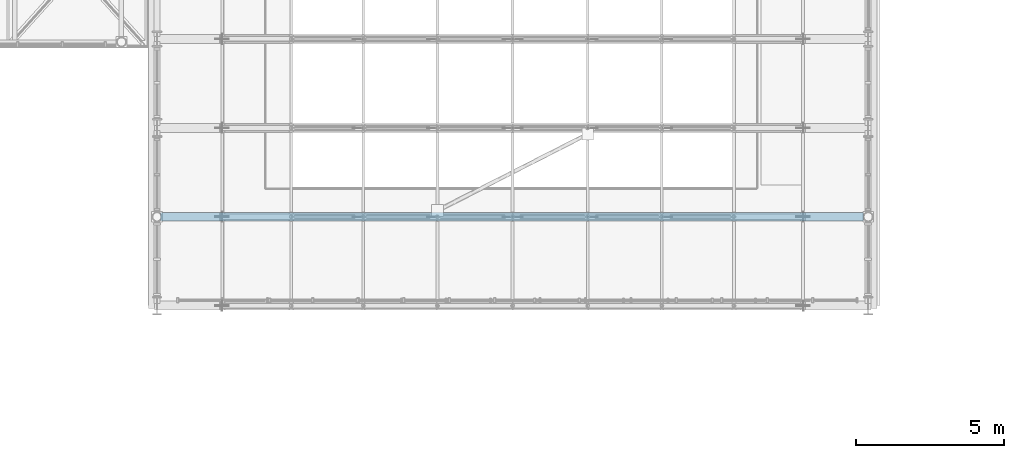
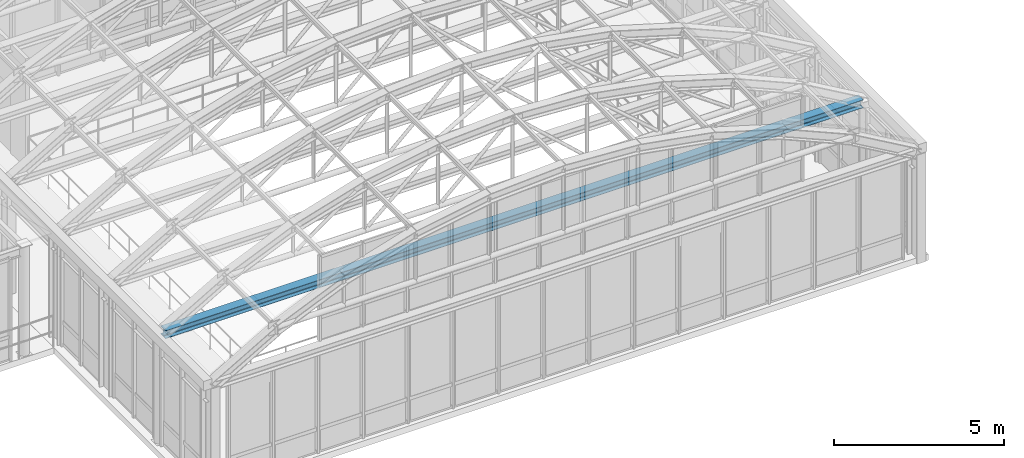
# One storey, part 56 of 148: 1 beam.
"""IFC4 building model written with IfcOpenShell, lengths in metres."""

import ifcopenshell
import ifcopenshell.guid

model = None  # the IFC model being written
_history = None  # IfcOwnerHistory: only IFC2X3 demands one
_inside = {}  # id of a spatial element -> (the spatial element, [elements in it])
_under = {}  # id of a project, library or spatial element -> (it, [spatial elements below it])
_declared = {}  # id of a project -> (the project, [libraries it declares])
_typed = {}  # id of a type object -> (the type object, [elements of that type])
_made_of = {}  # id of a material, layer set ... -> (it, [elements and type objects made of it])


def new_model(schema):
    """Start an empty IFC model of exactly this schema.

    Asked for "IFC4X3", IfcOpenShell would pick the latest addendum, in which some entities
    have other attributes; the version numbers below select the first issue.
    IFC2X3 requires an IfcOwnerHistory on every rooted entity: one is made here for all.
    """
    global model, _history
    if schema == "IFC4X3":
        model = ifcopenshell.file(schema_version=(4, 3, 0, 0))
    else:
        model = ifcopenshell.file(schema=schema)
    _inside.clear()
    _under.clear()
    _declared.clear()
    _typed.clear()
    _made_of.clear()
    _history = None
    if model.schema == "IFC2X3":
        org = make("IfcOrganization", Name="unknown")
        user = make(
            "IfcPersonAndOrganization",
            ThePerson=make("IfcPerson", FamilyName="unknown"),
            TheOrganization=org,
        )
        app = make(
            "IfcApplication",
            ApplicationDeveloper=org,
            Version="unknown",
            ApplicationFullName="unknown",
            ApplicationIdentifier="unknown",
        )
        _history = make(
            "IfcOwnerHistory",
            OwningUser=user,
            OwningApplication=app,
            ChangeAction="ADDED",
            CreationDate=0,
        )
    return model


def make(cls, **values):
    """One entity of the class cls with the attributes given. An attribute that is None is left unset."""
    return model.create_entity(
        cls, **{name: value for name, value in values.items() if value is not None}
    )


def rooted(cls, **values):
    """An entity with a GlobalId (a new one), such as an element, a storey or a relation."""
    return make(cls, GlobalId=ifcopenshell.guid.new(), OwnerHistory=_history, **values)


def si_unit(unit_type, name, prefix=None):
    """IfcSIUnit, for example si_unit("LENGTHUNIT", "METRE", prefix="MILLI")."""
    return make("IfcSIUnit", UnitType=unit_type, Prefix=prefix, Name=name)


def assignment(units):
    """IfcUnitAssignment: the units of a project."""
    return None if units is None else make("IfcUnitAssignment", Units=units)


def point(xyz):
    """IfcCartesianPoint."""
    return None if xyz is None else make("IfcCartesianPoint", Coordinates=xyz)


def direction(xyz):
    """IfcDirection."""
    return None if xyz is None else make("IfcDirection", DirectionRatios=xyz)


def frame(location, z_axis=None, x_axis=None):
    """IfcAxis2Placement3D, a coordinate frame: its origin and axes. An axis left out is left unset."""
    return make(
        "IfcAxis2Placement3D",
        Location=point(location),
        Axis=direction(z_axis),
        RefDirection=direction(x_axis),
    )


def frame_2d(location, x_axis=None):
    """IfcAxis2Placement2D, a coordinate frame in the plane: its origin and x axis."""
    return make(
        "IfcAxis2Placement2D", Location=point(location), RefDirection=direction(x_axis)
    )


def origin():
    """The frame at (0, 0, 0) with its axes left unset."""
    return frame((0.0, 0.0, 0.0))


def origin_2d():
    """The frame at (0, 0) in the plane with its x axis left unset."""
    return frame_2d((0.0, 0.0))


def place(relative_to, where):
    """IfcLocalPlacement: puts the frame where relative to a parent placement (None: the world)."""
    return make(
        "IfcLocalPlacement", PlacementRelTo=relative_to, RelativePlacement=where
    )


def context(
    kind, dimensions, precision=None, world=None, true_north=None, identifier=None
):
    """IfcGeometricRepresentationContext, for example the 3D "Model" context."""
    return make(
        "IfcGeometricRepresentationContext",
        ContextIdentifier=identifier,
        ContextType=kind,
        CoordinateSpaceDimension=dimensions,
        Precision=precision,
        WorldCoordinateSystem=world,
        TrueNorth=true_north,
    )


def subcontext(parent, identifier, kind, view, scale=None):
    """IfcGeometricRepresentationSubContext, for example "Body" below "Model"."""
    return make(
        "IfcGeometricRepresentationSubContext",
        ContextIdentifier=identifier,
        ContextType=kind,
        ParentContext=parent,
        TargetScale=scale,
        TargetView=view,
    )


def project(units=None, contexts=None):
    """IfcProject with its units and contexts."""
    return rooted(
        "IfcProject",
        Name="project",
        RepresentationContexts=contexts,
        UnitsInContext=assignment(units),
    )


def spatial(cls, under=None, at=None, **own):
    """A site, building, storey or space (cls), placed at a placement, below another one or the project."""
    s = rooted(cls, ObjectPlacement=at, **own)
    if under is not None:
        _under.setdefault(under.id(), (under, []))[1].append(s)
    return s


def profile(cls, at=None, kind="AREA", **sizes):
    """A parametric profile (cls). Its sizes go by their IFC names, for example OverallWidth=200.0."""
    return make(cls, ProfileType=kind, Position=at, **sizes)


def i_section(**sizes):
    """IfcIShapeProfileDef."""
    return profile("IfcIShapeProfileDef", **sizes)


def extrude(swept, where, along, depth):
    """IfcExtrudedAreaSolid: the profile swept, set in the frame where, extruded along a direction by depth."""
    return make(
        "IfcExtrudedAreaSolid",
        SweptArea=swept,
        Position=where,
        ExtrudedDirection=direction(along),
        Depth=depth,
    )


def shape(context_of_items, identifier, shape_type, items):
    """IfcShapeRepresentation: the items that make up one representation, for example the "Body"."""
    return make(
        "IfcShapeRepresentation",
        ContextOfItems=context_of_items,
        RepresentationIdentifier=identifier,
        RepresentationType=shape_type,
        Items=items,
    )


def material(Name=None, Category=None):
    """IfcMaterial."""
    return make("IfcMaterial", Name=Name, Category=Category)


def material_profile(
    of_material, cross_section, Name=None, Category=None, Priority=None
):
    """IfcMaterialProfile: a cross section and its material."""
    return make(
        "IfcMaterialProfile",
        Name=Name,
        Material=of_material,
        Profile=cross_section,
        Priority=Priority,
        Category=Category,
    )


def profile_set(profiles, Name=None, composite=None):
    """IfcMaterialProfileSet."""
    return make(
        "IfcMaterialProfileSet",
        Name=Name,
        MaterialProfiles=profiles,
        CompositeProfile=composite,
    )


def made_of(thing, what):
    """Note that an element or type object is made of a material, layer set ...; save() writes the relation."""
    if what is not None:
        _made_of.setdefault(what.id(), (what, []))[1].append(thing)
    return thing


def type_object(cls, material=None, **own):
    """A type object (cls), such as IfcWallType, which elements share."""
    return made_of(rooted(cls, **own), material)


def element(
    cls,
    number,
    at=None,
    inside=None,
    cuts=None,
    type_object=None,
    material=None,
    context=None,
    identifier="Body",
    shape_type=None,
    held_by="IfcProductDefinitionShape",
    body=None,
    shapes=None,
    **own,
):
    """One element of the class cls, such as IfcWall. Its Tag is "e" and its number.

    at: its placement. inside: the storey or other place that contains it. cuts: it is an
    opening in that element (IfcRelVoidsElement). A single representation is given by context,
    identifier, shape_type and body (its items); several are given by shapes. held_by: the class
    of the entity that holds the representations. save() writes the other relations.
    """
    e = rooted(cls, Tag="e%d" % number, ObjectPlacement=at, **own)
    if body is not None:
        shapes = [shape(context, identifier, shape_type, body)]
    if shapes is not None:
        e.Representation = make(held_by, Representations=shapes)
    if inside is not None:
        _inside.setdefault(inside.id(), (inside, []))[1].append(e)
    if cuts is not None:
        rooted(
            "IfcRelVoidsElement", RelatingBuildingElement=cuts, RelatedOpeningElement=e
        )
    if type_object is not None:
        _typed.setdefault(type_object.id(), (type_object, []))[1].append(e)
    return made_of(e, material)


def aggregate(whole, parts):
    """IfcRelAggregates: a whole, such as a stair, and the parts it consists of."""
    return rooted("IfcRelAggregates", RelatingObject=whole, RelatedObjects=parts)


def save(model, path):
    """Write the relations noted so far, then the file.

    IfcRelAggregates (storeys below a building ...), IfcRelContainedInSpatialStructure (elements
    in a storey), IfcRelDefinesByType, IfcRelAssociatesMaterial and IfcRelDeclares: one each for
    every whole, place, type object, material and project.
    """
    for whole, parts in _under.values():
        aggregate(whole, parts)
    for where, things in _inside.values():
        rooted(
            "IfcRelContainedInSpatialStructure",
            RelatedElements=things,
            RelatingStructure=where,
        )
    for kind, things in _typed.values():
        rooted("IfcRelDefinesByType", RelatedObjects=things, RelatingType=kind)
    for what, things in _made_of.values():
        rooted("IfcRelAssociatesMaterial", RelatedObjects=things, RelatingMaterial=what)
    for by, libraries in _declared.values():
        rooted("IfcRelDeclares", RelatingContext=by, RelatedDefinitions=libraries)
    model.write(path)


model = new_model("IFC4")

# Units and contexts
model_context = context("Model", 3, precision=1e-05, world=origin(), true_north=direction((0.0, 1.0)))
body_context = subcontext(model_context, "Body", "Model", "MODEL_VIEW")
ifc_project = project(units=[si_unit("LENGTHUNIT", "METRE"), si_unit("AREAUNIT", "SQUARE_METRE"), si_unit("VOLUMEUNIT", "CUBIC_METRE"), si_unit("PLANEANGLEUNIT", "RADIAN"), si_unit("MASSUNIT", "GRAM", prefix="KILO"), si_unit("THERMODYNAMICTEMPERATUREUNIT", "KELVIN"), si_unit("POWERUNIT", "WATT")], contexts=[model_context])

# Site, building, storey
site_placement = place(None, origin())
site = spatial("IfcSite", under=ifc_project, at=site_placement, CompositionType="ELEMENT")
building_placement = place(site_placement, origin())
building = spatial("IfcBuilding", under=site, at=building_placement, Name="Solvatero Civic Police Headquarters", CompositionType="ELEMENT")
storey_placement = place(building_placement, frame((0.0, 0.0, 5.10009765625)))
storey = spatial("IfcBuildingStorey", under=building, at=storey_placement, Name="L01", CompositionType="ELEMENT", Elevation=5.10009765625)

# Beam
ifc_material = material(Name="Steel S355", Category="steel")
ifc_material_profile = material_profile(ifc_material, i_section(OverallWidth=0.300048828125, OverallDepth=0.2900390625, WebThickness=0.008544921875, FlangeThickness=0.013916015625, FilletRadius=0.027099609375, at=origin_2d()), Name="HEA 300")
ifc_profile_set = profile_set([ifc_material_profile], Name="Steel S355")
beam_type = type_object("IfcBeamType", Name="BM-ST-HEA300", PredefinedType="SPANDREL", material=ifc_profile_set)
beam_placement = place(storey_placement, frame((64.919921875, 44.5, 3.864013671875), z_axis=(1.0, 0.0, 0.0), x_axis=(0.0, 1.0, 0.0)))
element("IfcBeam", 1, at=beam_placement, inside=storey, type_object=beam_type, Name="VLT2 Barrel Vault Springing Tie Beam F2", PredefinedType="SPANDREL", context=body_context, shape_type="SweptSolid", body=[
    extrude(i_section(OverallWidth=0.300048828125, OverallDepth=0.2900390625, WebThickness=0.008544921875, FlangeThickness=0.013916015625, FilletRadius=0.027099609375, at=origin_2d()), origin(), (0.0, 0.0, 1.0), 23.719970703125),
])

save(model, "model.ifc")
